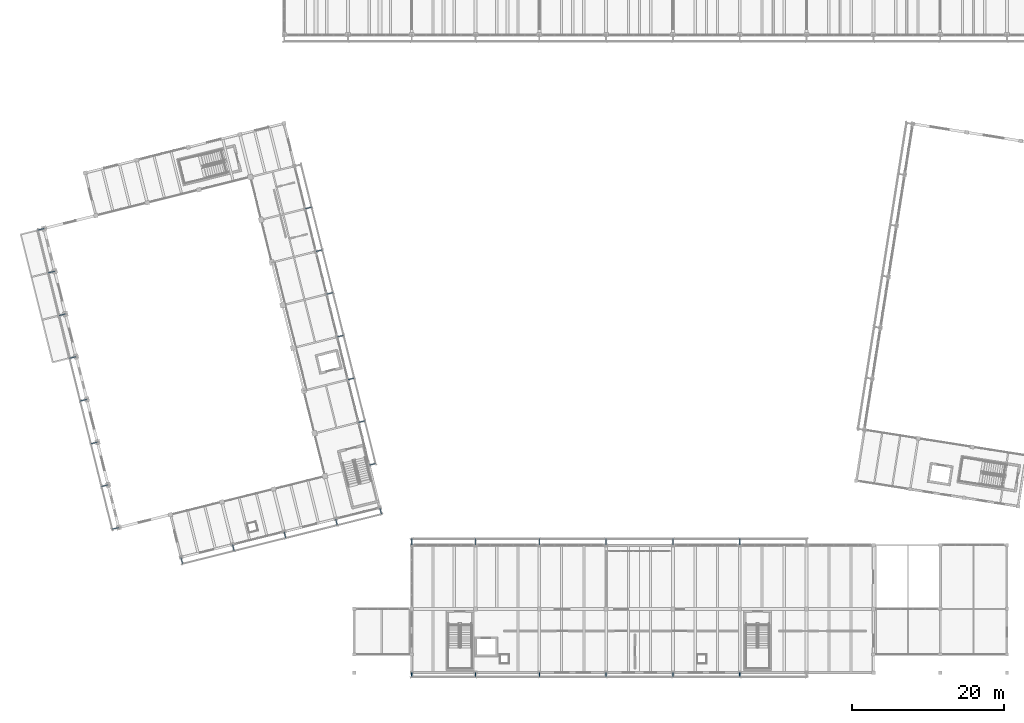
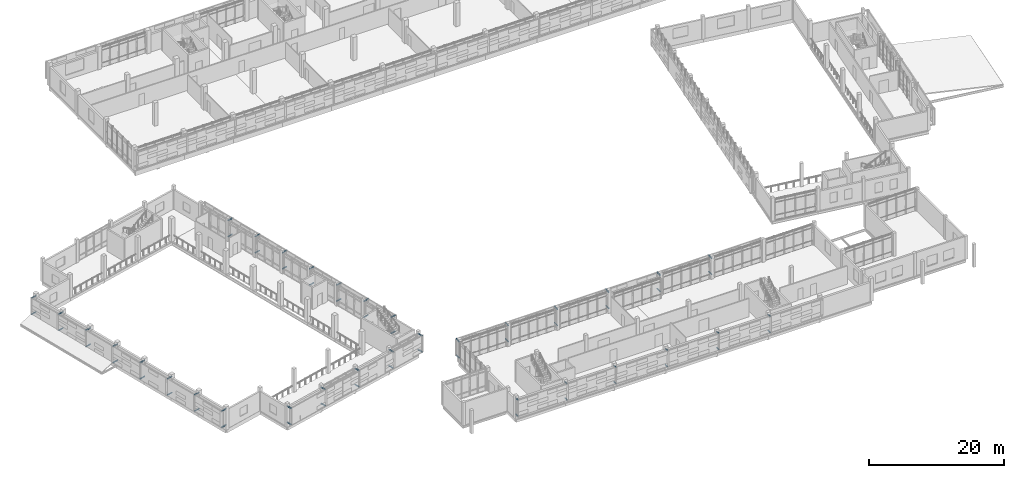
# One storey, part 90 of 137: 64 members.
"""IFC4 building model written with IfcOpenShell, lengths in metres."""

from ifc_helpers import new_model, si_unit, direction, frame, origin, origin_2d, place, context, subcontext, project, spatial, hollow_circle, extrude, material, material_profile, profile_set, type_object, element, save


model = new_model("IFC4")

# Units and contexts
model_context = context("Model", 3, precision=1e-05, world=origin(), true_north=direction((0.0, 1.0)))
body_context = subcontext(model_context, "Body", "Model", "MODEL_VIEW")
ifc_project = project(units=[si_unit("LENGTHUNIT", "METRE"), si_unit("AREAUNIT", "SQUARE_METRE"), si_unit("VOLUMEUNIT", "CUBIC_METRE"), si_unit("PLANEANGLEUNIT", "RADIAN"), si_unit("MASSUNIT", "GRAM", prefix="KILO")], contexts=[model_context])

# Site, building, storey
site_placement = place(None, origin())
site = spatial("IfcSite", under=ifc_project, at=site_placement, CompositionType="ELEMENT")
building_placement = place(site_placement, origin())
building = spatial("IfcBuilding", under=site, at=building_placement, Name="Cinderway Yard Community Centre", CompositionType="ELEMENT")
storey_placement = place(building_placement, frame((0.0, 0.0, 4.800048828125)))
storey = spatial("IfcBuildingStorey", under=building, at=storey_placement, Name="L01", CompositionType="ELEMENT", Elevation=4.800048828125)

# Members
ifc_material = material(Name="Steel S355", Category="steel")
ifc_material_profile = material_profile(ifc_material, hollow_circle(Radius=0.06982421875, WallThickness=0.00634765625, at=origin_2d()), Name="Steel S355")
ifc_profile_set = profile_set([ifc_material_profile], Name="Steel S355")
member_type = type_object("IfcMemberType", Name="STR-MEM-STRUT-CHS140", PredefinedType="STRUT", material=ifc_profile_set)
for number, where, z_axis, x_axis, name in (
    (1, (58.39990234375, 6.0, 0.7099609375), (0.0, -1.0, 0.0), (1.0, 0.0, 0.0), "Screen outrigger strut 0297"),
    (2, (58.39990234375, 6.0, 3.639892578125), (0.0, -1.0, 0.0), (1.0, 0.0, 0.0), "Screen outrigger strut 0298"),
    (3, (66.800048828125, 6.0, 0.7099609375), (0.0, -1.0, 0.0), (1.0, 0.0, 0.0), "Screen outrigger strut 0301"),
    (4, (66.800048828125, 6.0, 3.639892578125), (0.0, -1.0, 0.0), (1.0, 0.0, 0.0), "Screen outrigger strut 0302"),
    (5, (75.199951171875, 6.0, 0.7099609375), (0.0, -1.0, 0.0), (1.0, 0.0, 0.0), "Screen outrigger strut 0305"),
    (6, (75.199951171875, 6.0, 3.639892578125), (0.0, -1.0, 0.0), (1.0, 0.0, 0.0), "Screen outrigger strut 0306"),
    (7, (84.0, 6.0, 0.7099609375), (0.0, -1.0, 0.0), (1.0, 0.0, 0.0), "Screen outrigger strut 0309"),
    (8, (84.0, 6.0, 3.639892578125), (0.0, -1.0, 0.0), (1.0, 0.0, 0.0), "Screen outrigger strut 0310"),
    (9, (92.800048828125, 6.0, 0.7099609375), (0.0, -1.0, 0.0), (1.0, 0.0, 0.0), "Screen outrigger strut 0313"),
    (10, (92.800048828125, 6.0, 3.639892578125), (0.0, -1.0, 0.0), (1.0, 0.0, 0.0), "Screen outrigger strut 0314"),
    (11, (101.60009765625, 6.0, 0.7099609375), (0.0, -1.0, 0.0), (1.0, 0.0, 0.0), "Screen outrigger strut 0317"),
    (12, (101.60009765625, 6.0, 3.639892578125), (0.0, -1.0, 0.0), (1.0, 0.0, 0.0), "Screen outrigger strut 0318"),
):
    element("IfcMember", number, at=place(storey_placement, frame(where, z_axis=z_axis, x_axis=x_axis)), inside=storey, type_object=member_type, Name=name, PredefinedType="STRUT", context=body_context, shape_type="SweptSolid", body=[
        extrude(hollow_circle(Radius=0.06982421875, WallThickness=0.00634765625, at=origin_2d()), origin(), (0.0, 0.0, 1.0), 0.550048828125),
    ])
for number, where, z_axis, x_axis, name in (
    (13, (58.39990234375, 22.800048828125, 0.7099609375), (0.0, 1.0, 0.0), (-1.0, 0.0, 0.0), "Screen outrigger strut 0325"),
    (14, (58.39990234375, 22.800048828125, 3.639892578125), (0.0, 1.0, 0.0), (-1.0, 0.0, 0.0), "Screen outrigger strut 0326"),
    (15, (66.800048828125, 22.800048828125, 0.7099609375), (0.0, 1.0, 0.0), (-1.0, 0.0, 0.0), "Screen outrigger strut 0329"),
    (16, (66.800048828125, 22.800048828125, 3.639892578125), (0.0, 1.0, 0.0), (-1.0, 0.0, 0.0), "Screen outrigger strut 0330"),
    (17, (75.199951171875, 22.800048828125, 0.7099609375), (0.0, 1.0, 0.0), (-1.0, 0.0, 0.0), "Screen outrigger strut 0333"),
    (18, (75.199951171875, 22.800048828125, 3.639892578125), (0.0, 1.0, 0.0), (-1.0, 0.0, 0.0), "Screen outrigger strut 0334"),
    (19, (84.0, 22.800048828125, 0.7099609375), (0.0, 1.0, 0.0), (-1.0, 0.0, 0.0), "Screen outrigger strut 0337"),
    (20, (84.0, 22.800048828125, 3.639892578125), (0.0, 1.0, 0.0), (-1.0, 0.0, 0.0), "Screen outrigger strut 0338"),
    (21, (92.800048828125, 22.800048828125, 0.7099609375), (0.0, 1.0, 0.0), (-1.0, 0.0, 0.0), "Screen outrigger strut 0341"),
    (22, (92.800048828125, 22.800048828125, 3.639892578125), (0.0, 1.0, 0.0), (-1.0, 0.0, 0.0), "Screen outrigger strut 0342"),
    (23, (101.60009765625, 22.800048828125, 0.7099609375), (0.0, 1.0, 0.0), (-1.0, 0.0, 0.0), "Screen outrigger strut 0345"),
    (24, (101.60009765625, 22.800048828125, 3.639892578125), (0.0, 1.0, 0.0), (-1.0, 0.0, 0.0), "Screen outrigger strut 0346"),
):
    element("IfcMember", number, at=place(storey_placement, frame(where, z_axis=z_axis, x_axis=x_axis)), inside=storey, type_object=member_type, Name=name, PredefinedType="STRUT", context=body_context, shape_type="SweptSolid", body=[
        extrude(hollow_circle(Radius=0.06982421875, WallThickness=0.00634765625, at=origin_2d()), origin(), (0.0, 0.0, 1.0), 0.849853515625),
    ])
for number, where, z_axis, x_axis, name in (
    (25, (19.80908203125, 25.116943359375, 0.7099609375), (-0.970206304302, -0.242280265588, 0.0), (0.242280265588, -0.970206304302, 0.0), "Screen outrigger strut 0409"),
    (26, (19.80908203125, 25.116943359375, 3.639892578125), (-0.970206304302, -0.242280265588, 0.0), (0.242280265588, -0.970206304302, 0.0), "Screen outrigger strut 0410"),
    (27, (18.406005859375, 30.7451171875, 0.7099609375), (-0.970206304302, -0.242280265588, 0.0), (0.242280265588, -0.970206304302, 0.0), "Screen outrigger strut 0413"),
    (28, (18.406005859375, 30.7451171875, 3.639892578125), (-0.970206304302, -0.242280265588, 0.0), (0.242280265588, -0.970206304302, 0.0), "Screen outrigger strut 0414"),
    (29, (17.0029296875, 36.3720703125, 0.7099609375), (-0.970206304302, -0.242280265588, 0.0), (0.242280265588, -0.970206304302, 0.0), "Screen outrigger strut 0417"),
    (30, (17.0029296875, 36.3720703125, 3.639892578125), (-0.970206304302, -0.242280265588, 0.0), (0.242280265588, -0.970206304302, 0.0), "Screen outrigger strut 0418"),
    (31, (15.60009765625, 42.0, 0.7099609375), (-0.970206304302, -0.242280265588, 0.0), (0.242280265588, -0.970206304302, 0.0), "Screen outrigger strut 0421"),
    (32, (15.60009765625, 42.0, 3.639892578125), (-0.970206304302, -0.242280265588, 0.0), (0.242280265588, -0.970206304302, 0.0), "Screen outrigger strut 0422"),
    (33, (14.197021484375, 47.6279296875, 0.7099609375), (-0.970206304302, -0.242280265588, 0.0), (0.242280265588, -0.970206304302, 0.0), "Screen outrigger strut 0425"),
    (34, (14.197021484375, 47.6279296875, 3.639892578125), (-0.970206304302, -0.242280265588, 0.0), (0.242280265588, -0.970206304302, 0.0), "Screen outrigger strut 0426"),
    (35, (12.7939453125, 53.2548828125, 0.7099609375), (-0.970270049618, -0.242024855777, 0.0), (0.242024855777, -0.970270049618, 0.0), "Screen outrigger strut 0429"),
    (36, (12.7939453125, 53.2548828125, 3.639892578125), (-0.970270049618, -0.242024855777, 0.0), (0.242024855777, -0.970270049618, 0.0), "Screen outrigger strut 0430"),
    (37, (11.39111328125, 58.883056640625, 0.7099609375), (-0.970206304302, -0.242280265588, 0.0), (0.242280265588, -0.970206304302, 0.0), "Screen outrigger strut 0433"),
    (38, (11.39111328125, 58.883056640625, 3.639892578125), (-0.970206304302, -0.242280265588, 0.0), (0.242280265588, -0.970206304302, 0.0), "Screen outrigger strut 0434"),
    (39, (9.987060546875, 64.510986328125, 0.7099609375), (-0.970206304302, -0.242280265588, 0.0), (0.242280265588, -0.970206304302, 0.0), "Screen outrigger strut 0437"),
    (40, (9.987060546875, 64.510986328125, 3.639892578125), (-0.970206304302, -0.242280265588, 0.0), (0.242280265588, -0.970206304302, 0.0), "Screen outrigger strut 0438"),
):
    element("IfcMember", number, at=place(storey_placement, frame(where, z_axis=z_axis, x_axis=x_axis)), inside=storey, type_object=member_type, Name=name, PredefinedType="STRUT", context=body_context, shape_type="SweptSolid", body=[
        extrude(hollow_circle(Radius=0.06982421875, WallThickness=0.00634765625, at=origin_2d()), origin(), (0.0, 0.0, 1.0), 0.89990234375),
    ])
for number, where, z_axis, x_axis, name in (
    (41, (52.799072265625, 33.342041015625, 0.7099609375), (0.970193147976, 0.242332943738, 0.0), (-0.242332943738, 0.970193147976, 0.0), "Screen outrigger strut 0441"),
    (42, (52.799072265625, 33.342041015625, 3.639892578125), (0.970193147976, 0.242332943738, 0.0), (-0.242332943738, 0.970193147976, 0.0), "Screen outrigger strut 0442"),
    (43, (51.39599609375, 38.969970703125, 0.7099609375), (0.970193147976, 0.242332943738, 0.0), (-0.242332943738, 0.970193147976, 0.0), "Screen outrigger strut 0445"),
    (44, (51.39599609375, 38.969970703125, 3.639892578125), (0.970193147976, 0.242332943738, 0.0), (-0.242332943738, 0.970193147976, 0.0), "Screen outrigger strut 0446"),
):
    element("IfcMember", number, at=place(storey_placement, frame(where, z_axis=z_axis, x_axis=x_axis)), inside=storey, type_object=member_type, Name=name, PredefinedType="STRUT", context=body_context, shape_type="SweptSolid", body=[
        extrude(hollow_circle(Radius=0.06982421875, WallThickness=0.00634765625, at=origin_2d()), origin(), (0.0, 0.0, 1.0), 0.850341796875),
    ])
for number, where, z_axis, x_axis, name in (
    (45, (49.992919921875, 44.597900390625, 0.7099609375), (0.970210002383, 0.242265456216, 0.0), (-0.242265456216, 0.970210002383, 0.0), "Screen outrigger strut 0449"),
    (46, (49.992919921875, 44.597900390625, 3.639892578125), (0.970210002383, 0.242265456216, 0.0), (-0.242265456216, 0.970210002383, 0.0), "Screen outrigger strut 0450"),
):
    element("IfcMember", number, at=place(storey_placement, frame(where, z_axis=z_axis, x_axis=x_axis)), inside=storey, type_object=member_type, Name=name, PredefinedType="STRUT", context=body_context, shape_type="SweptSolid", body=[
        extrude(hollow_circle(Radius=0.06982421875, WallThickness=0.00634765625, at=origin_2d()), origin(), (0.0, 0.0, 1.0), 0.8505859375),
    ])
for number, where, z_axis, x_axis, name in (
    (47, (48.590087890625, 50.22509765625, 0.7099609375), (0.970260620758, 0.242062652648, 0.0), (-0.242062652648, 0.970260620758, 0.0), "Screen outrigger strut 0453"),
    (48, (48.590087890625, 50.22509765625, 3.639892578125), (0.970260620758, 0.242062652648, 0.0), (-0.242062652648, 0.970260620758, 0.0), "Screen outrigger strut 0454"),
    (49, (47.18701171875, 55.85302734375, 0.7099609375), (0.970193147976, 0.242332943738, 0.0), (-0.242332943738, 0.970193147976, 0.0), "Screen outrigger strut 0457"),
    (50, (47.18701171875, 55.85302734375, 3.639892578125), (0.970193147976, 0.242332943738, 0.0), (-0.242332943738, 0.970193147976, 0.0), "Screen outrigger strut 0458"),
    (51, (45.783935546875, 61.48095703125, 0.7099609375), (0.970193147976, 0.242332943738, 0.0), (-0.242332943738, 0.970193147976, 0.0), "Screen outrigger strut 0461"),
    (52, (45.783935546875, 61.48095703125, 3.639892578125), (0.970193147976, 0.242332943738, 0.0), (-0.242332943738, 0.970193147976, 0.0), "Screen outrigger strut 0462"),
    (53, (44.381103515625, 67.10791015625, 0.7099609375), (0.970193147976, 0.242332943738, 0.0), (-0.242332943738, 0.970193147976, 0.0), "Screen outrigger strut 0465"),
    (54, (44.381103515625, 67.10791015625, 3.639892578125), (0.970193147976, 0.242332943738, 0.0), (-0.242332943738, 0.970193147976, 0.0), "Screen outrigger strut 0466"),
):
    element("IfcMember", number, at=place(storey_placement, frame(where, z_axis=z_axis, x_axis=x_axis)), inside=storey, type_object=member_type, Name=name, PredefinedType="STRUT", context=body_context, shape_type="SweptSolid", body=[
        extrude(hollow_circle(Radius=0.06982421875, WallThickness=0.00634765625, at=origin_2d()), origin(), (0.0, 0.0, 1.0), 0.850341796875),
    ])
for number, where, z_axis, x_axis, name in (
    (55, (28.0048828125, 21.18310546875, 0.7099609375), (0.242265456216, -0.970210002383, 0.0), (0.970210002383, 0.242265456216, 0.0), "Screen outrigger strut 0473"),
    (56, (28.0048828125, 21.18310546875, 3.639892578125), (0.242265456216, -0.970210002383, 0.0), (0.970210002383, 0.242265456216, 0.0), "Screen outrigger strut 0474"),
):
    element("IfcMember", number, at=place(storey_placement, frame(where, z_axis=z_axis, x_axis=x_axis)), inside=storey, type_object=member_type, Name=name, PredefinedType="STRUT", context=body_context, shape_type="SweptSolid", body=[
        extrude(hollow_circle(Radius=0.06982421875, WallThickness=0.00634765625, at=origin_2d()), origin(), (0.0, 0.0, 1.0), 0.8505859375),
    ])
for number, where, z_axis, x_axis, name in (
    (57, (34.797119140625, 22.8759765625, 0.7099609375), (0.242062652648, -0.970260620758, 0.0), (0.970260620758, 0.242062652648, 0.0), "Screen outrigger strut 0477"),
    (58, (34.797119140625, 22.8759765625, 3.639892578125), (0.242062652648, -0.970260620758, 0.0), (0.970260620758, 0.242062652648, 0.0), "Screen outrigger strut 0478"),
):
    element("IfcMember", number, at=place(storey_placement, frame(where, z_axis=z_axis, x_axis=x_axis)), inside=storey, type_object=member_type, Name=name, PredefinedType="STRUT", context=body_context, shape_type="SweptSolid", body=[
        extrude(hollow_circle(Radius=0.06982421875, WallThickness=0.00634765625, at=origin_2d()), origin(), (0.0, 0.0, 1.0), 0.850341796875),
    ])
for number, where, z_axis, x_axis, name in (
    (59, (41.589111328125, 24.569091796875, 0.7099609375), (0.241995231027, -0.970277438757, 0.0), (0.970277438757, 0.241995231027, 0.0), "Screen outrigger strut 0481"),
    (60, (41.589111328125, 24.569091796875, 3.639892578125), (0.241995231027, -0.970277438757, 0.0), (0.970277438757, 0.241995231027, 0.0), "Screen outrigger strut 0482"),
):
    element("IfcMember", number, at=place(storey_placement, frame(where, z_axis=z_axis, x_axis=x_axis)), inside=storey, type_object=member_type, Name=name, PredefinedType="STRUT", context=body_context, shape_type="SweptSolid", body=[
        extrude(hollow_circle(Radius=0.06982421875, WallThickness=0.00634765625, at=origin_2d()), origin(), (0.0, 0.0, 1.0), 0.8505859375),
    ])
for number, where, z_axis, x_axis, name in (
    (61, (48.381103515625, 26.262939453125, 0.7099609375), (0.242062652648, -0.970260620758, 0.0), (0.970260620758, 0.242062652648, 0.0), "Screen outrigger strut 0485"),
    (62, (48.381103515625, 26.262939453125, 3.639892578125), (0.242062652648, -0.970260620758, 0.0), (0.970260620758, 0.242062652648, 0.0), "Screen outrigger strut 0486"),
):
    element("IfcMember", number, at=place(storey_placement, frame(where, z_axis=z_axis, x_axis=x_axis)), inside=storey, type_object=member_type, Name=name, PredefinedType="STRUT", context=body_context, shape_type="SweptSolid", body=[
        extrude(hollow_circle(Radius=0.06982421875, WallThickness=0.00634765625, at=origin_2d()), origin(), (0.0, 0.0, 1.0), 0.850341796875),
    ])
for number, where, z_axis, x_axis, name in (
    (63, (54.202880859375, 27.714111328125, 0.7099609375), (0.242265456216, -0.970210002383, 0.0), (0.970210002383, 0.242265456216, 0.0), "Screen outrigger strut 0489"),
    (64, (54.202880859375, 27.714111328125, 3.639892578125), (0.242265456216, -0.970210002383, 0.0), (0.970210002383, 0.242265456216, 0.0), "Screen outrigger strut 0490"),
):
    element("IfcMember", number, at=place(storey_placement, frame(where, z_axis=z_axis, x_axis=x_axis)), inside=storey, type_object=member_type, Name=name, PredefinedType="STRUT", context=body_context, shape_type="SweptSolid", body=[
        extrude(hollow_circle(Radius=0.06982421875, WallThickness=0.00634765625, at=origin_2d()), origin(), (0.0, 0.0, 1.0), 0.8505859375),
    ])

save(model, "model.ifc")
